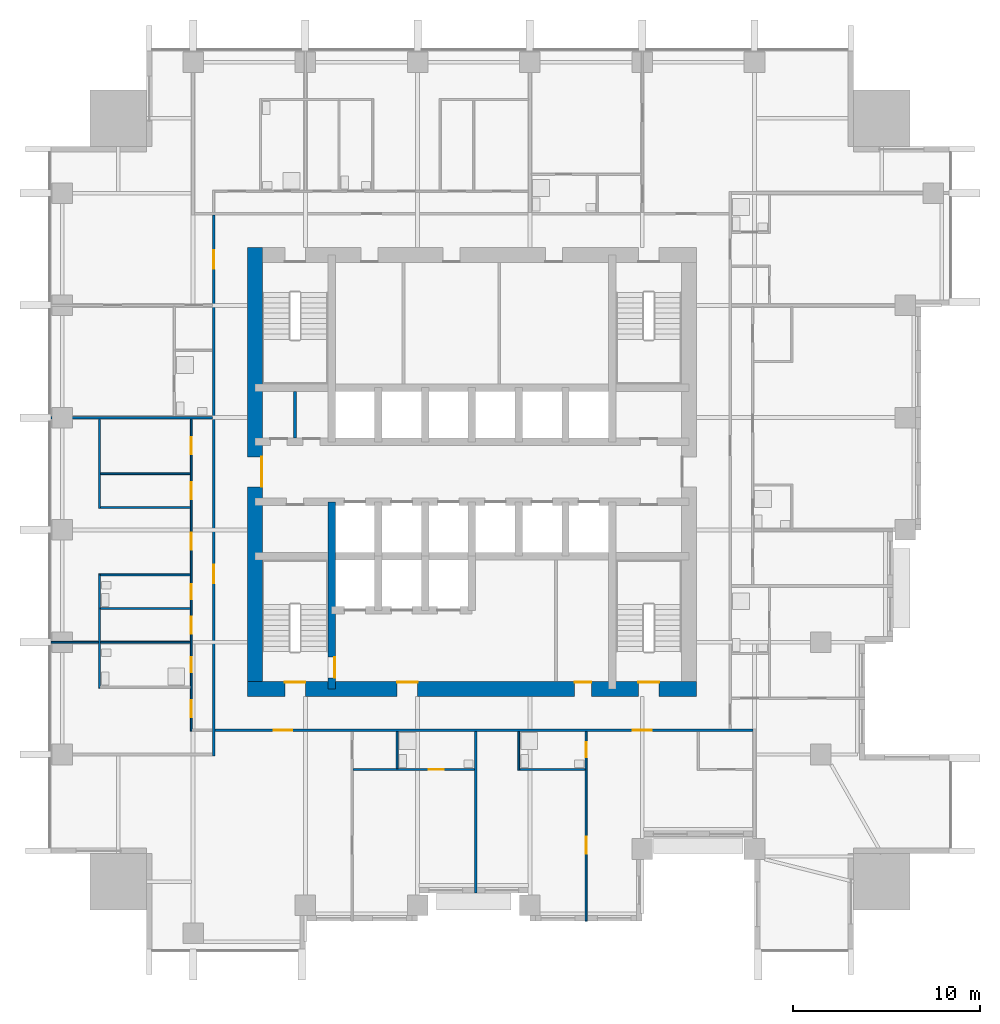
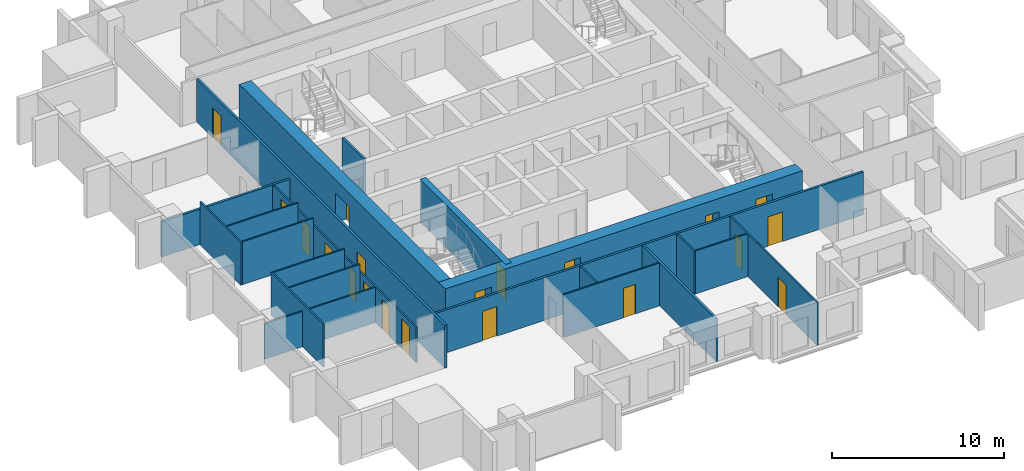
# One storey, part 4 of 10: 21 walls, 20 doors, 20 openings.
"""IFC4 building model written with IfcOpenShell, lengths in metres."""

import ifcopenshell
import ifcopenshell.guid

model = None  # the IFC model being written
_history = None  # IfcOwnerHistory: only IFC2X3 demands one
_inside = {}  # id of a spatial element -> (the spatial element, [elements in it])
_under = {}  # id of a project, library or spatial element -> (it, [spatial elements below it])
_declared = {}  # id of a project -> (the project, [libraries it declares])
_typed = {}  # id of a type object -> (the type object, [elements of that type])
_made_of = {}  # id of a material, layer set ... -> (it, [elements and type objects made of it])


def new_model(schema):
    """Start an empty IFC model of exactly this schema.

    Asked for "IFC4X3", IfcOpenShell would pick the latest addendum, in which some entities
    have other attributes; the version numbers below select the first issue.
    IFC2X3 requires an IfcOwnerHistory on every rooted entity: one is made here for all.
    """
    global model, _history
    if schema == "IFC4X3":
        model = ifcopenshell.file(schema_version=(4, 3, 0, 0))
    else:
        model = ifcopenshell.file(schema=schema)
    _inside.clear()
    _under.clear()
    _declared.clear()
    _typed.clear()
    _made_of.clear()
    _history = None
    if model.schema == "IFC2X3":
        org = make("IfcOrganization", Name="unknown")
        user = make(
            "IfcPersonAndOrganization",
            ThePerson=make("IfcPerson", FamilyName="unknown"),
            TheOrganization=org,
        )
        app = make(
            "IfcApplication",
            ApplicationDeveloper=org,
            Version="unknown",
            ApplicationFullName="unknown",
            ApplicationIdentifier="unknown",
        )
        _history = make(
            "IfcOwnerHistory",
            OwningUser=user,
            OwningApplication=app,
            ChangeAction="ADDED",
            CreationDate=0,
        )
    return model


def make(cls, **values):
    """One entity of the class cls with the attributes given. An attribute that is None is left unset."""
    return model.create_entity(
        cls, **{name: value for name, value in values.items() if value is not None}
    )


def rooted(cls, **values):
    """An entity with a GlobalId (a new one), such as an element, a storey or a relation."""
    return make(cls, GlobalId=ifcopenshell.guid.new(), OwnerHistory=_history, **values)


def si_unit(unit_type, name, prefix=None):
    """IfcSIUnit, for example si_unit("LENGTHUNIT", "METRE", prefix="MILLI")."""
    return make("IfcSIUnit", UnitType=unit_type, Prefix=prefix, Name=name)


def assignment(units):
    """IfcUnitAssignment: the units of a project."""
    return None if units is None else make("IfcUnitAssignment", Units=units)


def point(xyz):
    """IfcCartesianPoint."""
    return None if xyz is None else make("IfcCartesianPoint", Coordinates=xyz)


def direction(xyz):
    """IfcDirection."""
    return None if xyz is None else make("IfcDirection", DirectionRatios=xyz)


def frame(location, z_axis=None, x_axis=None):
    """IfcAxis2Placement3D, a coordinate frame: its origin and axes. An axis left out is left unset."""
    return make(
        "IfcAxis2Placement3D",
        Location=point(location),
        Axis=direction(z_axis),
        RefDirection=direction(x_axis),
    )


def frame_2d(location, x_axis=None):
    """IfcAxis2Placement2D, a coordinate frame in the plane: its origin and x axis."""
    return make(
        "IfcAxis2Placement2D", Location=point(location), RefDirection=direction(x_axis)
    )


def origin():
    """The frame at (0, 0, 0) with its axes left unset."""
    return frame((0.0, 0.0, 0.0))


def place(relative_to, where):
    """IfcLocalPlacement: puts the frame where relative to a parent placement (None: the world)."""
    return make(
        "IfcLocalPlacement", PlacementRelTo=relative_to, RelativePlacement=where
    )


def context(
    kind, dimensions, precision=None, world=None, true_north=None, identifier=None
):
    """IfcGeometricRepresentationContext, for example the 3D "Model" context."""
    return make(
        "IfcGeometricRepresentationContext",
        ContextIdentifier=identifier,
        ContextType=kind,
        CoordinateSpaceDimension=dimensions,
        Precision=precision,
        WorldCoordinateSystem=world,
        TrueNorth=true_north,
    )


def subcontext(parent, identifier, kind, view, scale=None):
    """IfcGeometricRepresentationSubContext, for example "Body" below "Model"."""
    return make(
        "IfcGeometricRepresentationSubContext",
        ContextIdentifier=identifier,
        ContextType=kind,
        ParentContext=parent,
        TargetScale=scale,
        TargetView=view,
    )


def project(units=None, contexts=None):
    """IfcProject with its units and contexts."""
    return rooted(
        "IfcProject",
        Name="project",
        RepresentationContexts=contexts,
        UnitsInContext=assignment(units),
    )


def spatial(cls, under=None, at=None, **own):
    """A site, building, storey or space (cls), placed at a placement, below another one or the project."""
    s = rooted(cls, ObjectPlacement=at, **own)
    if under is not None:
        _under.setdefault(under.id(), (under, []))[1].append(s)
    return s


def profile(cls, at=None, kind="AREA", **sizes):
    """A parametric profile (cls). Its sizes go by their IFC names, for example OverallWidth=200.0."""
    return make(cls, ProfileType=kind, Position=at, **sizes)


def rectangle(**sizes):
    """IfcRectangleProfileDef."""
    return profile("IfcRectangleProfileDef", **sizes)


def extrude(swept, where, along, depth):
    """IfcExtrudedAreaSolid: the profile swept, set in the frame where, extruded along a direction by depth."""
    return make(
        "IfcExtrudedAreaSolid",
        SweptArea=swept,
        Position=where,
        ExtrudedDirection=direction(along),
        Depth=depth,
    )


def shape(context_of_items, identifier, shape_type, items):
    """IfcShapeRepresentation: the items that make up one representation, for example the "Body"."""
    return make(
        "IfcShapeRepresentation",
        ContextOfItems=context_of_items,
        RepresentationIdentifier=identifier,
        RepresentationType=shape_type,
        Items=items,
    )


def material(Name=None, Category=None):
    """IfcMaterial."""
    return make("IfcMaterial", Name=Name, Category=Category)


def layer(
    of_material, thickness, ventilated=None, Name=None, Category=None, Priority=None
):
    """IfcMaterialLayer: one layer of a wall or slab, of a material (None: an air gap)."""
    return make(
        "IfcMaterialLayer",
        Material=of_material,
        LayerThickness=thickness,
        IsVentilated=ventilated,
        Name=Name,
        Category=Category,
        Priority=Priority,
    )


def layer_set(layers, Name=None):
    """IfcMaterialLayerSet."""
    return make("IfcMaterialLayerSet", MaterialLayers=layers, LayerSetName=Name)


def made_of(thing, what):
    """Note that an element or type object is made of a material, layer set ...; save() writes the relation."""
    if what is not None:
        _made_of.setdefault(what.id(), (what, []))[1].append(thing)
    return thing


def type_object(cls, material=None, **own):
    """A type object (cls), such as IfcWallType, which elements share."""
    return made_of(rooted(cls, **own), material)


def element(
    cls,
    number,
    at=None,
    inside=None,
    cuts=None,
    type_object=None,
    material=None,
    context=None,
    identifier="Body",
    shape_type=None,
    held_by="IfcProductDefinitionShape",
    body=None,
    shapes=None,
    **own,
):
    """One element of the class cls, such as IfcWall. Its Tag is "e" and its number.

    at: its placement. inside: the storey or other place that contains it. cuts: it is an
    opening in that element (IfcRelVoidsElement). A single representation is given by context,
    identifier, shape_type and body (its items); several are given by shapes. held_by: the class
    of the entity that holds the representations. save() writes the other relations.
    """
    e = rooted(cls, Tag="e%d" % number, ObjectPlacement=at, **own)
    if body is not None:
        shapes = [shape(context, identifier, shape_type, body)]
    if shapes is not None:
        e.Representation = make(held_by, Representations=shapes)
    if inside is not None:
        _inside.setdefault(inside.id(), (inside, []))[1].append(e)
    if cuts is not None:
        rooted(
            "IfcRelVoidsElement", RelatingBuildingElement=cuts, RelatedOpeningElement=e
        )
    if type_object is not None:
        _typed.setdefault(type_object.id(), (type_object, []))[1].append(e)
    return made_of(e, material)


def fill(opening, filler):
    """IfcRelFillsElement: the door or window that sits in an opening."""
    return rooted(
        "IfcRelFillsElement",
        RelatingOpeningElement=opening,
        RelatedBuildingElement=filler,
    )


def aggregate(whole, parts):
    """IfcRelAggregates: a whole, such as a stair, and the parts it consists of."""
    return rooted("IfcRelAggregates", RelatingObject=whole, RelatedObjects=parts)


def save(model, path):
    """Write the relations noted so far, then the file.

    IfcRelAggregates (storeys below a building ...), IfcRelContainedInSpatialStructure (elements
    in a storey), IfcRelDefinesByType, IfcRelAssociatesMaterial and IfcRelDeclares: one each for
    every whole, place, type object, material and project.
    """
    for whole, parts in _under.values():
        aggregate(whole, parts)
    for where, things in _inside.values():
        rooted(
            "IfcRelContainedInSpatialStructure",
            RelatedElements=things,
            RelatingStructure=where,
        )
    for kind, things in _typed.values():
        rooted("IfcRelDefinesByType", RelatedObjects=things, RelatingType=kind)
    for what, things in _made_of.values():
        rooted("IfcRelAssociatesMaterial", RelatedObjects=things, RelatingMaterial=what)
    for by, libraries in _declared.values():
        rooted("IfcRelDeclares", RelatingContext=by, RelatedDefinitions=libraries)
    model.write(path)


model = new_model("IFC4")

# Units and contexts
model_context = context("Model", 3, precision=1e-05, world=origin(), true_north=direction((0.0, 1.0)))
body_context = subcontext(model_context, "Body", "Model", "MODEL_VIEW")
ifc_project = project(units=[si_unit("LENGTHUNIT", "METRE"), si_unit("AREAUNIT", "SQUARE_METRE"), si_unit("VOLUMEUNIT", "CUBIC_METRE"), si_unit("PLANEANGLEUNIT", "RADIAN"), si_unit("MASSUNIT", "GRAM", prefix="KILO")], contexts=[model_context])

# Site, building, storey
site_placement = place(None, origin())
site = spatial("IfcSite", under=ifc_project, at=site_placement, CompositionType="ELEMENT")
building_placement = place(site_placement, origin())
building = spatial("IfcBuilding", under=site, at=building_placement, Name="Amberfall Residences", CompositionType="ELEMENT")
storey_placement = place(building_placement, frame((0.0, 0.0, 118.300048828125)))
storey = spatial("IfcBuildingStorey", under=building, at=storey_placement, Name="L32", CompositionType="ELEMENT", Elevation=118.300048828125)

# Wall, opening, door
ifc_material_1 = material(Name="Concrete C70", Category="concrete")
ifc_layer_1 = layer(ifc_material_1, 0.39990234375)
ifc_layer_set_1 = layer_set([ifc_layer_1], Name="Core wall 400 C70")
wall_type_1 = type_object("IfcWallType", Name="Core wall 400 C70", PredefinedType="SHEAR", material=ifc_layer_set_1)
wall_1_placement = place(storey_placement, frame((67.0, 33.89990234375, 0.0), z_axis=(0.0, 0.0, 1.0), x_axis=(0.0, 1.0, 0.0)))
wall_1 = element("IfcWall", 1, at=wall_1_placement, inside=storey, type_object=wall_type_1, Name="Core wall RW4 L32 V45S", PredefinedType="SHEAR", context=body_context, shape_type="SweptSolid", body=[
    extrude(rectangle(XDim=10.0, YDim=0.39990234375, at=frame_2d((5.0, 0.0))), origin(), (0.0, 0.0, 1.0), 3.050048828125),
])
opening_1_placement = place(wall_1_placement, frame((0.60009765625, 0.0, 0.0)))
opening_1 = element("IfcOpeningElement", 2, at=opening_1_placement, cuts=wall_1, Name="Opening FL1", PredefinedType="OPENING", context=body_context, shape_type="SweptSolid", body=[
    extrude(rectangle(XDim=1.10009765625, YDim=2.10009765625, at=frame_2d((0.550048828125, 1.050048828125))), frame((0.0, 0.2099609375, 0.0), z_axis=(0.0, -1.0, 0.0), x_axis=(1.0, 0.0, 0.0)), (0.0, 0.0, 1.0), 0.419921875),
])
ifc_material_2 = material(Name="Steel fire door set", Category="steel")
door_type_1 = type_object("IfcDoorType", Name="Firefighting lobby door 1100 x 2100", OperationType="SINGLE_SWING_LEFT", PredefinedType="DOOR", material=ifc_material_2)
door_1_placement = place(opening_1_placement, origin())
door_1 = element("IfcDoor", 3, at=door_1_placement, inside=storey, type_object=door_type_1, Name="FL1 L32", OperationType="SINGLE_SWING_RIGHT", OverallHeight=2.10009765625, OverallWidth=1.10009765625, PredefinedType="DOOR", context=body_context, shape_type="SweptSolid", body=[
    extrude(rectangle(XDim=1.10009765625, YDim=2.10009765625, at=frame_2d((0.550048828125, 1.050048828125))), frame((0.0, -0.1376953125, 0.0), z_axis=(0.0, -1.0, 0.0), x_axis=(1.0, 0.0, 0.0)), (0.0, 0.0, 1.0), 0.050048828125),
])
fill(opening_1, door_1)

# Wall, openings, doors
ifc_layer_2 = layer(ifc_material_1, 0.800048828125)
ifc_layer_set_2 = layer_set([ifc_layer_2], Name="Core wall 800 C70")
wall_type_2 = type_object("IfcWallType", Name="Core wall 800 C70", PredefinedType="SHEAR", material=ifc_layer_set_2)
wall_2_placement = place(storey_placement, frame((62.5, 33.89990234375, 0.0), z_axis=(0.0, 0.0, 1.0), x_axis=(1.0, 0.0, 0.0)))
wall_2 = element("IfcWall", 4, at=wall_2_placement, inside=storey, type_object=wall_type_2, Name="Core wall RW3 L32 OS", PredefinedType="SHEAR", context=body_context, shape_type="SweptSolid", body=[
    extrude(rectangle(XDim=24.0, YDim=0.800048828125, at=frame_2d((12.0, 0.0))), origin(), (0.0, 0.0, 1.0), 3.050048828125),
])
opening_2_placement = place(wall_2_placement, frame((2.0, 0.0, 0.0)))
opening_2 = element("IfcOpeningElement", 5, at=opening_2_placement, cuts=wall_2, Name="Opening SD1", PredefinedType="OPENING", context=body_context, shape_type="SweptSolid", body=[
    extrude(rectangle(XDim=1.10009765625, YDim=2.10009765625, at=frame_2d((0.550048828125, 1.050048828125))), frame((0.0, 0.409912109375, 0.0), z_axis=(0.0, -1.0, 0.0), x_axis=(1.0, 0.0, 0.0)), (0.0, 0.0, 1.0), 0.820068359375),
])
opening_3_placement = place(wall_2_placement, frame((20.89990234375, 0.0, 0.0)))
opening_3 = element("IfcOpeningElement", 6, at=opening_3_placement, cuts=wall_2, Name="Opening SD1", PredefinedType="OPENING", context=body_context, shape_type="SweptSolid", body=[
    extrude(rectangle(XDim=1.10009765625, YDim=2.10009765625, at=frame_2d((0.550048828125, 1.050048828125))), frame((0.0, 0.409912109375, 0.0), z_axis=(0.0, -1.0, 0.0), x_axis=(1.0, 0.0, 0.0)), (0.0, 0.0, 1.0), 0.820068359375),
])
opening_4_placement = place(wall_2_placement, frame((8.0, 0.0, 0.0)))
opening_4 = element("IfcOpeningElement", 7, at=opening_4_placement, cuts=wall_2, Name="Opening FL1", PredefinedType="OPENING", context=body_context, shape_type="SweptSolid", body=[
    extrude(rectangle(XDim=1.10009765625, YDim=2.10009765625, at=frame_2d((0.550048828125, 1.050048828125))), frame((0.0, 0.409912109375, 0.0), z_axis=(0.0, -1.0, 0.0), x_axis=(1.0, 0.0, 0.0)), (0.0, 0.0, 1.0), 0.820068359375),
])
opening_5_placement = place(wall_2_placement, frame((17.487548828125, 0.0, 0.0)))
opening_5 = element("IfcOpeningElement", 8, at=opening_5_placement, cuts=wall_2, Name="Opening RD1", PredefinedType="OPENING", context=body_context, shape_type="SweptSolid", body=[
    extrude(rectangle(XDim=0.89990234375, YDim=2.10009765625, at=frame_2d((0.449951171875, 1.050048828125))), frame((0.0, 0.409912109375, 0.0), z_axis=(0.0, -1.0, 0.0), x_axis=(1.0, 0.0, 0.0)), (0.0, 0.0, 1.0), 0.820068359375),
])
door_2_placement = place(opening_4_placement, origin())
door_2 = element("IfcDoor", 9, at=door_2_placement, inside=storey, type_object=door_type_1, Name="FL1 L32", OperationType="SINGLE_SWING_LEFT", OverallHeight=2.10009765625, OverallWidth=1.10009765625, PredefinedType="DOOR", context=body_context, shape_type="SweptSolid", body=[
    extrude(rectangle(XDim=1.10009765625, YDim=2.10009765625, at=frame_2d((0.550048828125, 1.050048828125))), frame((0.0, 0.3876953125, 0.0), z_axis=(0.0, -1.0, 0.0), x_axis=(1.0, 0.0, 0.0)), (0.0, 0.0, 1.0), 0.050048828125),
])
fill(opening_4, door_2)
door_type_2 = type_object("IfcDoorType", Name="Service room door 900 x 2100", OperationType="SINGLE_SWING_LEFT", PredefinedType="DOOR", material=ifc_material_2)
door_3_placement = place(opening_5_placement, origin())
door_3 = element("IfcDoor", 10, at=door_3_placement, inside=storey, type_object=door_type_2, Name="RD1 L32", OperationType="SINGLE_SWING_LEFT", OverallHeight=2.10009765625, OverallWidth=0.89990234375, PredefinedType="DOOR", context=body_context, shape_type="SweptSolid", body=[
    extrude(rectangle(XDim=0.89990234375, YDim=2.10009765625, at=frame_2d((0.449951171875, 1.050048828125))), frame((0.0, 0.3876953125, 0.0), z_axis=(0.0, -1.0, 0.0), x_axis=(1.0, 0.0, 0.0)), (0.0, 0.0, 1.0), 0.050048828125),
])
fill(opening_5, door_3)
door_type_3 = type_object("IfcDoorType", Name="Stair door 1100 x 2100", OperationType="SINGLE_SWING_LEFT", PredefinedType="DOOR", material=ifc_material_2)
door_4_placement = place(opening_2_placement, origin())
door_4 = element("IfcDoor", 11, at=door_4_placement, inside=storey, type_object=door_type_3, Name="SD1 L32", OperationType="SINGLE_SWING_LEFT", OverallHeight=2.10009765625, OverallWidth=1.10009765625, PredefinedType="DOOR", context=body_context, shape_type="SweptSolid", body=[
    extrude(rectangle(XDim=1.10009765625, YDim=2.10009765625, at=frame_2d((0.550048828125, 1.050048828125))), frame((0.0, 0.3876953125, 0.0), z_axis=(0.0, -1.0, 0.0), x_axis=(1.0, 0.0, 0.0)), (0.0, 0.0, 1.0), 0.050048828125),
])
fill(opening_2, door_4)
door_5_placement = place(opening_3_placement, origin())
door_5 = element("IfcDoor", 12, at=door_5_placement, inside=storey, type_object=door_type_3, Name="SD1 L32", OperationType="SINGLE_SWING_RIGHT", OverallHeight=2.10009765625, OverallWidth=1.10009765625, PredefinedType="DOOR", context=body_context, shape_type="SweptSolid", body=[
    extrude(rectangle(XDim=1.10009765625, YDim=2.10009765625, at=frame_2d((0.550048828125, 1.050048828125))), frame((0.0, 0.3876953125, 0.0), z_axis=(0.0, -1.0, 0.0), x_axis=(1.0, 0.0, 0.0)), (0.0, 0.0, 1.0), 0.050048828125),
])
fill(opening_3, door_5)

# Wall, opening, door
wall_3_placement = place(storey_placement, frame((62.89990234375, 33.5, 0.0), z_axis=(0.0, 0.0, 1.0), x_axis=(0.0, 1.0, 0.0)))
wall_3 = element("IfcWall", 13, at=wall_3_placement, inside=storey, type_object=wall_type_2, Name="Core wall RW3 L32 OW", PredefinedType="SHEAR", context=body_context, shape_type="SweptSolid", body=[
    extrude(rectangle(XDim=24.0, YDim=0.800048828125, at=frame_2d((12.0, 0.0))), origin(), (0.0, 0.0, 1.0), 3.050048828125),
])
opening_6_placement = place(wall_3_placement, frame((11.199951171875, 0.0, 0.0)))
opening_6 = element("IfcOpeningElement", 14, at=opening_6_placement, cuts=wall_3, Name="Opening LB1", PredefinedType="OPENING", context=body_context, shape_type="SweptSolid", body=[
    extrude(rectangle(XDim=1.60009765625, YDim=2.10009765625, at=frame_2d((0.800048828125, 1.050048828125))), frame((0.0, 0.409912109375, 0.0), z_axis=(0.0, -1.0, 0.0), x_axis=(1.0, 0.0, 0.0)), (0.0, 0.0, 1.0), 0.820068359375),
])
door_type_4 = type_object("IfcDoorType", Name="Lift lobby double door 1600 x 2100", OperationType="DOUBLE_DOOR_SINGLE_SWING", PredefinedType="DOOR", material=ifc_material_2)
door_6_placement = place(opening_6_placement, origin())
door_6 = element("IfcDoor", 15, at=door_6_placement, inside=storey, type_object=door_type_4, Name="LB1 L32", OperationType="DOUBLE_DOOR_SINGLE_SWING", OverallHeight=2.10009765625, OverallWidth=1.60009765625, PredefinedType="DOOR", context=body_context, shape_type="SweptSolid", body=[
    extrude(rectangle(XDim=1.60009765625, YDim=2.10009765625, at=frame_2d((0.800048828125, 1.050048828125))), frame((0.0, -0.33740234375, 0.0), z_axis=(0.0, -1.0, 0.0), x_axis=(1.0, 0.0, 0.0)), (0.0, 0.0, 1.0), 0.050048828125),
])
fill(opening_6, door_6)

# Walls
ifc_material_3 = material(Name="Gypsum board on metal stud")
ifc_layer_3 = layer(ifc_material_3, 0.10009765625)
ifc_layer_set_3 = layer_set([ifc_layer_3], Name="Flat partition 100")
wall_type_3 = type_object("IfcWallType", Name="Flat partition 100", PredefinedType="PARTITIONING", material=ifc_layer_set_3)
wall_4_placement = place(storey_placement, frame((54.60009765625, 33.949951171875, 0.0), z_axis=(0.0, 0.0, 1.0), x_axis=(0.0, 1.0, 0.0)))
element("IfcWall", 16, at=wall_4_placement, inside=storey, type_object=wall_type_3, Name="Partition 001", PredefinedType="PARTITIONING", context=body_context, shape_type="SweptSolid", body=[
    extrude(rectangle(XDim=6.10009765625, YDim=0.10009765625, at=frame_2d((3.050048828125, 0.0))), origin(), (0.0, 0.0, 1.0), 3.050048828125),
])
wall_5_placement = place(storey_placement, frame((54.60009765625, 43.550048828125, 0.0), z_axis=(0.0, 0.0, 1.0), x_axis=(0.0, 1.0, 0.0)))
element("IfcWall", 17, at=wall_5_placement, inside=storey, type_object=wall_type_3, Name="Partition 002", PredefinedType="PARTITIONING", context=body_context, shape_type="SweptSolid", body=[
    extrude(rectangle(XDim=4.77490234375, YDim=0.10009765625, at=frame_2d((2.387451171875, 0.0))), origin(), (0.0, 0.0, 1.0), 3.050048828125),
])

# Wall, openings, doors
wall_6_placement = place(storey_placement, frame((59.5, 31.64990234375, 0.0), z_axis=(0.0, 0.0, 1.0), x_axis=(0.0, 1.0, 0.0)))
wall_6 = element("IfcWall", 18, at=wall_6_placement, inside=storey, type_object=wall_type_3, Name="Partition 004", PredefinedType="PARTITIONING", context=body_context, shape_type="SweptSolid", body=[
    extrude(rectangle(XDim=16.675048828125, YDim=0.10009765625, at=frame_2d((8.33740234375, 0.0))), origin(), (0.0, 0.0, 1.0), 2.510009765625),
])
opening_7_placement = place(wall_6_placement, frame((9.699951171875, 0.0, 0.0)))
opening_7 = element("IfcOpeningElement", 19, at=opening_7_placement, cuts=wall_6, Name="Opening D41", PredefinedType="OPENING", context=body_context, shape_type="SweptSolid", body=[
    extrude(rectangle(XDim=0.89990234375, YDim=2.10009765625, at=frame_2d((0.449951171875, 1.050048828125))), frame((0.0, 0.06005859375, 0.0), z_axis=(0.0, -1.0, 0.0), x_axis=(1.0, 0.0, 0.0)), (0.0, 0.0, 1.0), 0.1201171875),
])
opening_8_placement = place(wall_6_placement, frame((14.800048828125, 0.0, 0.0)))
opening_8 = element("IfcOpeningElement", 20, at=opening_8_placement, cuts=wall_6, Name="Opening D41", PredefinedType="OPENING", context=body_context, shape_type="SweptSolid", body=[
    extrude(rectangle(XDim=0.89990234375, YDim=2.10009765625, at=frame_2d((0.449951171875, 1.050048828125))), frame((0.0, 0.06005859375, 0.0), z_axis=(0.0, -1.0, 0.0), x_axis=(1.0, 0.0, 0.0)), (0.0, 0.0, 1.0), 0.1201171875),
])
opening_9_placement = place(wall_6_placement, frame((12.39990234375, 0.0, 0.0)))
opening_9 = element("IfcOpeningElement", 21, at=opening_9_placement, cuts=wall_6, Name="Opening D41", PredefinedType="OPENING", context=body_context, shape_type="SweptSolid", body=[
    extrude(rectangle(XDim=0.89990234375, YDim=2.10009765625, at=frame_2d((0.449951171875, 1.050048828125))), frame((0.0, 0.06005859375, 0.0), z_axis=(0.0, -1.0, 0.0), x_axis=(1.0, 0.0, 0.0)), (0.0, 0.0, 1.0), 0.1201171875),
])
opening_10_placement = place(wall_6_placement, frame((5.199951171875, 0.0, 0.0)))
opening_10 = element("IfcOpeningElement", 22, at=opening_10_placement, cuts=wall_6, Name="Opening D41", PredefinedType="OPENING", context=body_context, shape_type="SweptSolid", body=[
    extrude(rectangle(XDim=0.89990234375, YDim=2.10009765625, at=frame_2d((0.449951171875, 1.050048828125))), frame((0.0, 0.06005859375, 0.0), z_axis=(0.0, -1.0, 0.0), x_axis=(1.0, 0.0, 0.0)), (0.0, 0.0, 1.0), 0.1201171875),
])
opening_11_placement = place(wall_6_placement, frame((7.050048828125, 0.0, 0.0)))
opening_11 = element("IfcOpeningElement", 23, at=opening_11_placement, cuts=wall_6, Name="Opening D42", PredefinedType="OPENING", context=body_context, shape_type="SweptSolid", body=[
    extrude(rectangle(XDim=0.800048828125, YDim=2.10009765625, at=frame_2d((0.39990234375, 1.050048828125))), frame((0.0, 0.06005859375, 0.0), z_axis=(0.0, -1.0, 0.0), x_axis=(1.0, 0.0, 0.0)), (0.0, 0.0, 1.0), 0.1201171875),
])
opening_12_placement = place(wall_6_placement, frame((0.75, 0.0, 0.0)))
opening_12 = element("IfcOpeningElement", 24, at=opening_12_placement, cuts=wall_6, Name="Opening D41", PredefinedType="OPENING", context=body_context, shape_type="SweptSolid", body=[
    extrude(rectangle(XDim=0.89990234375, YDim=2.10009765625, at=frame_2d((0.449951171875, 1.050048828125))), frame((0.0, 0.06005859375, 0.0), z_axis=(0.0, -1.0, 0.0), x_axis=(1.0, 0.0, 0.0)), (0.0, 0.0, 1.0), 0.1201171875),
])
opening_13_placement = place(wall_6_placement, frame((3.14990234375, 0.0, 0.0)))
opening_13 = element("IfcOpeningElement", 25, at=opening_13_placement, cuts=wall_6, Name="Opening D42", PredefinedType="OPENING", context=body_context, shape_type="SweptSolid", body=[
    extrude(rectangle(XDim=0.800048828125, YDim=2.10009765625, at=frame_2d((0.39990234375, 1.050048828125))), frame((0.0, 0.06005859375, 0.0), z_axis=(0.0, -1.0, 0.0), x_axis=(1.0, 0.0, 0.0)), (0.0, 0.0, 1.0), 0.1201171875),
])
ifc_material_4 = material(Name="Timber", Category="wood")
door_type_5 = type_object("IfcDoorType", Name="Bathroom door 800 x 2100", OperationType="SINGLE_SWING_LEFT", PredefinedType="DOOR", material=ifc_material_4)
door_7_placement = place(opening_11_placement, origin())
door_7 = element("IfcDoor", 26, at=door_7_placement, inside=storey, type_object=door_type_5, Name="Door 3208 wc1", OperationType="SINGLE_SWING_LEFT", OverallHeight=2.10009765625, OverallWidth=0.800048828125, PredefinedType="DOOR", context=body_context, shape_type="SweptSolid", body=[
    extrude(rectangle(XDim=0.800048828125, YDim=2.10009765625, at=frame_2d((0.39990234375, 1.050048828125))), frame((0.0, 0.02490234375, 0.0), z_axis=(0.0, -1.0, 0.0), x_axis=(1.0, 0.0, 0.0)), (0.0, 0.0, 1.0), 0.050048828125),
])
fill(opening_11, door_7)
door_8_placement = place(opening_13_placement, origin())
door_8 = element("IfcDoor", 27, at=door_8_placement, inside=storey, type_object=door_type_5, Name="Door 3208 bath1", OperationType="SINGLE_SWING_LEFT", OverallHeight=2.10009765625, OverallWidth=0.800048828125, PredefinedType="DOOR", context=body_context, shape_type="SweptSolid", body=[
    extrude(rectangle(XDim=0.800048828125, YDim=2.10009765625, at=frame_2d((0.39990234375, 1.050048828125))), frame((0.0, 0.02490234375, 0.0), z_axis=(0.0, -1.0, 0.0), x_axis=(1.0, 0.0, 0.0)), (0.0, 0.0, 1.0), 0.050048828125),
])
fill(opening_13, door_8)
door_type_6 = type_object("IfcDoorType", Name="Internal door 900 x 2100", OperationType="SINGLE_SWING_LEFT", PredefinedType="DOOR", material=ifc_material_4)
door_9_placement = place(opening_7_placement, origin())
door_9 = element("IfcDoor", 28, at=door_9_placement, inside=storey, type_object=door_type_6, Name="Door 3208 living", OperationType="SINGLE_SWING_LEFT", OverallHeight=2.10009765625, OverallWidth=0.89990234375, PredefinedType="DOOR", context=body_context, shape_type="SweptSolid", body=[
    extrude(rectangle(XDim=0.89990234375, YDim=2.10009765625, at=frame_2d((0.449951171875, 1.050048828125))), frame((0.0, 0.02490234375, 0.0), z_axis=(0.0, -1.0, 0.0), x_axis=(1.0, 0.0, 0.0)), (0.0, 0.0, 1.0), 0.050048828125),
])
fill(opening_7, door_9)
door_10_placement = place(opening_8_placement, origin())
door_10 = element("IfcDoor", 29, at=door_10_placement, inside=storey, type_object=door_type_6, Name="Door 3208 kitchen", OperationType="SINGLE_SWING_LEFT", OverallHeight=2.10009765625, OverallWidth=0.89990234375, PredefinedType="DOOR", context=body_context, shape_type="SweptSolid", body=[
    extrude(rectangle(XDim=0.89990234375, YDim=2.10009765625, at=frame_2d((0.449951171875, 1.050048828125))), frame((0.0, 0.02490234375, 0.0), z_axis=(0.0, -1.0, 0.0), x_axis=(1.0, 0.0, 0.0)), (0.0, 0.0, 1.0), 0.050048828125),
])
fill(opening_8, door_10)
door_11_placement = place(opening_9_placement, origin())
door_11 = element("IfcDoor", 30, at=door_11_placement, inside=storey, type_object=door_type_6, Name="Door 3208 utility", OperationType="SINGLE_SWING_LEFT", OverallHeight=2.10009765625, OverallWidth=0.89990234375, PredefinedType="DOOR", context=body_context, shape_type="SweptSolid", body=[
    extrude(rectangle(XDim=0.89990234375, YDim=2.10009765625, at=frame_2d((0.449951171875, 1.050048828125))), frame((0.0, 0.02490234375, 0.0), z_axis=(0.0, -1.0, 0.0), x_axis=(1.0, 0.0, 0.0)), (0.0, 0.0, 1.0), 0.050048828125),
])
fill(opening_9, door_11)
door_12_placement = place(opening_10_placement, origin())
door_12 = element("IfcDoor", 31, at=door_12_placement, inside=storey, type_object=door_type_6, Name="Door 3208 store", OperationType="SINGLE_SWING_LEFT", OverallHeight=2.10009765625, OverallWidth=0.89990234375, PredefinedType="DOOR", context=body_context, shape_type="SweptSolid", body=[
    extrude(rectangle(XDim=0.89990234375, YDim=2.10009765625, at=frame_2d((0.449951171875, 1.050048828125))), frame((0.0, 0.02490234375, 0.0), z_axis=(0.0, -1.0, 0.0), x_axis=(1.0, 0.0, 0.0)), (0.0, 0.0, 1.0), 0.050048828125),
])
fill(opening_10, door_12)
door_13_placement = place(opening_12_placement, origin())
door_13 = element("IfcDoor", 32, at=door_13_placement, inside=storey, type_object=door_type_6, Name="Door 3208 bedroom1", OperationType="SINGLE_SWING_LEFT", OverallHeight=2.10009765625, OverallWidth=0.89990234375, PredefinedType="DOOR", context=body_context, shape_type="SweptSolid", body=[
    extrude(rectangle(XDim=0.89990234375, YDim=2.10009765625, at=frame_2d((0.449951171875, 1.050048828125))), frame((0.0, 0.02490234375, 0.0), z_axis=(0.0, -1.0, 0.0), x_axis=(1.0, 0.0, 0.0)), (0.0, 0.0, 1.0), 0.050048828125),
])
fill(opening_12, door_13)

# Walls
wall_7_placement = place(storey_placement, frame((70.5, 29.64990234375, 0.0), z_axis=(0.0, 0.0, 1.0), x_axis=(0.0, 1.0, 0.0)))
element("IfcWall", 33, at=wall_7_placement, inside=storey, type_object=wall_type_3, Name="Partition 011", PredefinedType="PARTITIONING", context=body_context, shape_type="SweptSolid", body=[
    extrude(rectangle(XDim=1.97509765625, YDim=0.10009765625, at=frame_2d((0.987548828125, 0.0))), origin(), (0.0, 0.0, 1.0), 3.050048828125),
])
wall_8_placement = place(storey_placement, frame((77.0, 29.550048828125, 0.0), z_axis=(0.0, 0.0, 1.0), x_axis=(0.0, 1.0, 0.0)))
element("IfcWall", 34, at=wall_8_placement, inside=storey, type_object=wall_type_3, Name="Partition 014", PredefinedType="PARTITIONING", context=body_context, shape_type="SweptSolid", body=[
    extrude(rectangle(XDim=2.074951171875, YDim=0.10009765625, at=frame_2d((1.03759765625, 0.0))), origin(), (0.0, 0.0, 1.0), 3.050048828125),
])

# Wall, openings, doors
wall_9_placement = place(storey_placement, frame((80.60009765625, 21.5, 0.0), z_axis=(0.0, 0.0, 1.0), x_axis=(0.0, 1.0, 0.0)))
wall_9 = element("IfcWall", 35, at=wall_9_placement, inside=storey, type_object=wall_type_3, Name="Partition 015", PredefinedType="PARTITIONING", context=body_context, shape_type="SweptSolid", body=[
    extrude(rectangle(XDim=10.125, YDim=0.10009765625, at=frame_2d((5.0625, 0.0))), origin(), (0.0, 0.0, 1.0), 3.050048828125),
])
opening_14_placement = place(wall_9_placement, frame((3.60009765625, 0.0, 0.0)))
opening_14 = element("IfcOpeningElement", 36, at=opening_14_placement, cuts=wall_9, Name="Opening D41", PredefinedType="OPENING", context=body_context, shape_type="SweptSolid", body=[
    extrude(rectangle(XDim=0.89990234375, YDim=2.10009765625, at=frame_2d((0.449951171875, 1.050048828125))), frame((0.0, 0.06005859375, 0.0), z_axis=(0.0, -1.0, 0.0), x_axis=(1.0, 0.0, 0.0)), (0.0, 0.0, 1.0), 0.1201171875),
])
opening_15_placement = place(wall_9_placement, frame((8.75, 0.0, 0.0)))
opening_15 = element("IfcOpeningElement", 37, at=opening_15_placement, cuts=wall_9, Name="Opening D42", PredefinedType="OPENING", context=body_context, shape_type="SweptSolid", body=[
    extrude(rectangle(XDim=0.800048828125, YDim=2.10009765625, at=frame_2d((0.39990234375, 1.050048828125))), frame((0.0, 0.06005859375, 0.0), z_axis=(0.0, -1.0, 0.0), x_axis=(1.0, 0.0, 0.0)), (0.0, 0.0, 1.0), 0.1201171875),
])
door_14_placement = place(opening_15_placement, origin())
door_14 = element("IfcDoor", 38, at=door_14_placement, inside=storey, type_object=door_type_5, Name="Door 3202 bath1", OperationType="SINGLE_SWING_LEFT", OverallHeight=2.10009765625, OverallWidth=0.800048828125, PredefinedType="DOOR", context=body_context, shape_type="SweptSolid", body=[
    extrude(rectangle(XDim=0.800048828125, YDim=2.10009765625, at=frame_2d((0.39990234375, 1.050048828125))), frame((0.0, 0.02490234375, 0.0), z_axis=(0.0, -1.0, 0.0), x_axis=(1.0, 0.0, 0.0)), (0.0, 0.0, 1.0), 0.050048828125),
])
fill(opening_15, door_14)
door_15_placement = place(opening_14_placement, origin())
door_15 = element("IfcDoor", 39, at=door_15_placement, inside=storey, type_object=door_type_6, Name="Door 3202 bedroom1", OperationType="SINGLE_SWING_LEFT", OverallHeight=2.10009765625, OverallWidth=0.89990234375, PredefinedType="DOOR", context=body_context, shape_type="SweptSolid", body=[
    extrude(rectangle(XDim=0.89990234375, YDim=2.10009765625, at=frame_2d((0.449951171875, 1.050048828125))), frame((0.0, 0.02490234375, 0.0), z_axis=(0.0, -1.0, 0.0), x_axis=(1.0, 0.0, 0.0)), (0.0, 0.0, 1.0), 0.050048828125),
])
fill(opening_14, door_15)

# Walls
for number, where, z_axis, x_axis, name in (
    (40, (54.64990234375, 45.39990234375, 0.0), (0.0, 0.0, 1.0), (1.0, 0.0, 0.0), "Partition 034"),
    (41, (54.64990234375, 43.60009765625, 0.0), (0.0, 0.0, 1.0), (1.0, 0.0, 0.0), "Partition 036"),
    (42, (54.64990234375, 40.0, 0.0), (0.0, 0.0, 1.0), (1.0, 0.0, 0.0), "Partition 038"),
    (43, (54.64990234375, 38.199951171875, 0.0), (0.0, 0.0, 1.0), (1.0, 0.0, 0.0), "Partition 039"),
):
    element("IfcWall", number, at=place(storey_placement, frame(where, z_axis=z_axis, x_axis=x_axis)), inside=storey, type_object=wall_type_3, Name=name, PredefinedType="PARTITIONING", context=body_context, shape_type="SweptSolid", body=[
        extrude(rectangle(XDim=4.800048828125, YDim=0.10009765625, at=frame_2d((2.39990234375, 0.0))), origin(), (0.0, 0.0, 1.0), 3.050048828125),
    ])
wall_10_placement = place(storey_placement, frame((52.0, 36.39990234375, 0.0), z_axis=(0.0, 0.0, 1.0), x_axis=(1.0, 0.0, 0.0)))
element("IfcWall", 44, at=wall_10_placement, inside=storey, type_object=wall_type_3, Name="Partition 040", PredefinedType="PARTITIONING", context=body_context, shape_type="SweptSolid", body=[
    extrude(rectangle(XDim=7.449951171875, YDim=0.10009765625, at=frame_2d((3.72509765625, 0.0))), origin(), (0.0, 0.0, 1.0), 2.515869140625),
])

# Wall, opening, door
wall_11_placement = place(storey_placement, frame((68.14990234375, 29.60009765625, 0.0), z_axis=(0.0, 0.0, 1.0), x_axis=(1.0, 0.0, 0.0)))
wall_11 = element("IfcWall", 45, at=wall_11_placement, inside=storey, type_object=wall_type_3, Name="Partition 045", PredefinedType="PARTITIONING", context=body_context, shape_type="SweptSolid", body=[
    extrude(rectangle(XDim=6.47509765625, YDim=0.10009765625, at=frame_2d((3.237548828125, 0.0))), origin(), (0.0, 0.0, 1.0), 3.050048828125),
])
opening_16_placement = place(wall_11_placement, frame((4.050048828125, 0.0, 0.0)))
opening_16 = element("IfcOpeningElement", 46, at=opening_16_placement, cuts=wall_11, Name="Opening D42", PredefinedType="OPENING", context=body_context, shape_type="SweptSolid", body=[
    extrude(rectangle(XDim=0.800048828125, YDim=2.10009765625, at=frame_2d((0.39990234375, 1.050048828125))), frame((0.0, 0.06005859375, 0.0), z_axis=(0.0, -1.0, 0.0), x_axis=(1.0, 0.0, 0.0)), (0.0, 0.0, 1.0), 0.1201171875),
])
door_16_placement = place(opening_16_placement, origin())
door_16 = element("IfcDoor", 47, at=door_16_placement, inside=storey, type_object=door_type_5, Name="Door 3201 bath1", OperationType="SINGLE_SWING_LEFT", OverallHeight=2.10009765625, OverallWidth=0.800048828125, PredefinedType="DOOR", context=body_context, shape_type="SweptSolid", body=[
    extrude(rectangle(XDim=0.800048828125, YDim=2.10009765625, at=frame_2d((0.39990234375, 1.050048828125))), frame((0.0, 0.02490234375, 0.0), z_axis=(0.0, -1.0, 0.0), x_axis=(1.0, 0.0, 0.0)), (0.0, 0.0, 1.0), 0.050048828125),
])
fill(opening_16, door_16)

# Wall
wall_12_placement = place(storey_placement, frame((77.050048828125, 29.60009765625, 0.0), z_axis=(0.0, 0.0, 1.0), x_axis=(1.0, 0.0, 0.0)))
element("IfcWall", 48, at=wall_12_placement, inside=storey, type_object=wall_type_3, Name="Partition 046", PredefinedType="PARTITIONING", context=body_context, shape_type="SweptSolid", body=[
    extrude(rectangle(XDim=3.5, YDim=0.10009765625, at=frame_2d((1.75, 0.0))), origin(), (0.0, 0.0, 1.0), 3.050048828125),
])

# Wall, openings, doors
ifc_material_5 = material(Name="Blockwork, plastered", Category="masonry")
ifc_layer_4 = layer(ifc_material_5, 0.14990234375)
ifc_layer_set_4 = layer_set([ifc_layer_4], Name="Flat separating wall 150")
wall_type_4 = type_object("IfcWallType", Name="Flat separating wall 150", PredefinedType="PARTITIONING", material=ifc_layer_set_4)
wall_13_placement = place(storey_placement, frame((60.699951171875, 30.324951171875, 0.0), z_axis=(0.0, 0.0, 1.0), x_axis=(0.0, 1.0, 0.0)))
wall_13 = element("IfcWall", 49, at=wall_13_placement, inside=storey, type_object=wall_type_4, Name="Separating wall 049", PredefinedType="PARTITIONING", context=body_context, shape_type="SweptSolid", body=[
    extrude(rectangle(XDim=28.900146484375, YDim=0.14990234375, at=frame_2d((14.4501953125, 0.0))), origin(), (0.0, 0.0, 1.0), 3.050048828125),
])
opening_17_placement = place(wall_13_placement, frame((9.22509765625, 0.0, 0.0)))
opening_17 = element("IfcOpeningElement", 50, at=opening_17_placement, cuts=wall_13, Name="Opening D40", PredefinedType="OPENING", context=body_context, shape_type="SweptSolid", body=[
    extrude(rectangle(XDim=1.0, YDim=2.10009765625, at=frame_2d((0.5, 1.050048828125))), frame((0.0, 0.0849609375, 0.0), z_axis=(0.0, -1.0, 0.0), x_axis=(1.0, 0.0, 0.0)), (0.0, 0.0, 1.0), 0.169921875),
])
opening_18_placement = place(wall_13_placement, frame((26.02490234375, 0.0, 0.0)))
opening_18 = element("IfcOpeningElement", 51, at=opening_18_placement, cuts=wall_13, Name="Opening D40", PredefinedType="OPENING", context=body_context, shape_type="SweptSolid", body=[
    extrude(rectangle(XDim=1.0, YDim=2.10009765625, at=frame_2d((0.5, 1.050048828125))), frame((0.0, 0.0849609375, 0.0), z_axis=(0.0, -1.0, 0.0), x_axis=(1.0, 0.0, 0.0)), (0.0, 0.0, 1.0), 0.169921875),
])
ifc_material_6 = material(Name="Timber, fire-rated", Category="wood")
door_type_7 = type_object("IfcDoorType", Name="Flat entrance door FD60 1000 x 2100", OperationType="SINGLE_SWING_LEFT", PredefinedType="DOOR", material=ifc_material_6)
door_17_placement = place(opening_17_placement, origin())
door_17 = element("IfcDoor", 52, at=door_17_placement, inside=storey, type_object=door_type_7, Name="Door 3208 entrance", OperationType="SINGLE_SWING_LEFT", OverallHeight=2.10009765625, OverallWidth=1.0, PredefinedType="DOOR", context=body_context, shape_type="SweptSolid", body=[
    extrude(rectangle(XDim=1.0, YDim=2.10009765625, at=frame_2d((0.5, 1.050048828125))), frame((0.0, 0.02490234375, 0.0), z_axis=(0.0, -1.0, 0.0), x_axis=(1.0, 0.0, 0.0)), (0.0, 0.0, 1.0), 0.050048828125),
])
fill(opening_17, door_17)
door_18_placement = place(opening_18_placement, origin())
door_18 = element("IfcDoor", 53, at=door_18_placement, inside=storey, type_object=door_type_7, Name="Door 3209 entrance", OperationType="SINGLE_SWING_LEFT", OverallHeight=2.10009765625, OverallWidth=1.0, PredefinedType="DOOR", context=body_context, shape_type="SweptSolid", body=[
    extrude(rectangle(XDim=1.0, YDim=2.10009765625, at=frame_2d((0.5, 1.050048828125))), frame((0.0, 0.02490234375, 0.0), z_axis=(0.0, -1.0, 0.0), x_axis=(1.0, 0.0, 0.0)), (0.0, 0.0, 1.0), 0.050048828125),
])
fill(opening_18, door_18)

# Walls
wall_14_placement = place(storey_placement, frame((74.699951171875, 23.0, 0.0), z_axis=(0.0, 0.0, 1.0), x_axis=(0.0, 1.0, 0.0)))
element("IfcWall", 54, at=wall_14_placement, inside=storey, type_object=wall_type_4, Name="Separating wall 050", PredefinedType="PARTITIONING", context=body_context, shape_type="SweptSolid", body=[
    extrude(rectangle(XDim=8.625, YDim=0.14990234375, at=frame_2d((4.3125, 0.0))), origin(), (0.0, 0.0, 1.0), 3.050048828125),
])
wall_15_placement = place(storey_placement, frame((52.0, 48.39990234375, 0.0), z_axis=(0.0, 0.0, 1.0), x_axis=(1.0, 0.0, 0.0)))
element("IfcWall", 55, at=wall_15_placement, inside=storey, type_object=wall_type_4, Name="Separating wall 057", PredefinedType="PARTITIONING", context=body_context, shape_type="SweptSolid", body=[
    extrude(rectangle(XDim=8.625, YDim=0.14990234375, at=frame_2d((4.3125, 0.0))), origin(), (0.0, 0.0, 1.0), 2.515869140625),
])

# Wall, openings, doors
wall_16_placement = place(storey_placement, frame((89.52490234375, 31.699951171875, 0.0), z_axis=(0.0, 0.0, 1.0), x_axis=(-1.0, 0.0, 0.0)))
wall_16 = element("IfcWall", 56, at=wall_16_placement, inside=storey, type_object=wall_type_4, Name="Separating wall 059", PredefinedType="PARTITIONING", context=body_context, shape_type="SweptSolid", body=[
    extrude(rectangle(XDim=28.75, YDim=0.14990234375, at=frame_2d((14.375, 0.0))), origin(), (0.0, 0.0, 1.0), 3.050048828125),
])
opening_19_placement = place(wall_16_placement, frame((24.625, 0.0, 0.0)))
opening_19 = element("IfcOpeningElement", 57, at=opening_19_placement, cuts=wall_16, Name="Opening D40", PredefinedType="OPENING", context=body_context, shape_type="SweptSolid", body=[
    extrude(rectangle(XDim=1.0, YDim=2.10009765625, at=frame_2d((0.5, 1.050048828125))), frame((0.0, 0.0849609375, 0.0), z_axis=(0.0, -1.0, 0.0), x_axis=(1.0, 0.0, 0.0)), (0.0, 0.0, 1.0), 0.169921875),
])
opening_20_placement = place(wall_16_placement, frame((5.425048828125, 0.0, 0.0)))
opening_20 = element("IfcOpeningElement", 58, at=opening_20_placement, cuts=wall_16, Name="Opening D40", PredefinedType="OPENING", context=body_context, shape_type="SweptSolid", body=[
    extrude(rectangle(XDim=1.0, YDim=2.10009765625, at=frame_2d((0.5, 1.050048828125))), frame((0.0, 0.0849609375, 0.0), z_axis=(0.0, -1.0, 0.0), x_axis=(1.0, 0.0, 0.0)), (0.0, 0.0, 1.0), 0.169921875),
])
door_19_placement = place(opening_19_placement, origin())
door_19 = element("IfcDoor", 59, at=door_19_placement, inside=storey, type_object=door_type_7, Name="Door 3201 entrance", OperationType="SINGLE_SWING_LEFT", OverallHeight=2.10009765625, OverallWidth=1.0, PredefinedType="DOOR", context=body_context, shape_type="SweptSolid", body=[
    extrude(rectangle(XDim=1.0, YDim=2.10009765625, at=frame_2d((0.5, 1.050048828125))), frame((0.0, 0.02490234375, 0.0), z_axis=(0.0, -1.0, 0.0), x_axis=(1.0, 0.0, 0.0)), (0.0, 0.0, 1.0), 0.050048828125),
])
fill(opening_19, door_19)
door_20_placement = place(opening_20_placement, origin())
door_20 = element("IfcDoor", 60, at=door_20_placement, inside=storey, type_object=door_type_7, Name="Door 3202 entrance", OperationType="SINGLE_SWING_LEFT", OverallHeight=2.10009765625, OverallWidth=1.0, PredefinedType="DOOR", context=body_context, shape_type="SweptSolid", body=[
    extrude(rectangle(XDim=1.0, YDim=2.10009765625, at=frame_2d((0.5, 1.050048828125))), frame((0.0, 0.02490234375, 0.0), z_axis=(0.0, -1.0, 0.0), x_axis=(1.0, 0.0, 0.0)), (0.0, 0.0, 1.0), 0.050048828125),
])
fill(opening_20, door_20)

# Wall
ifc_material_7 = material(Name="Concrete blockwork", Category="masonry")
ifc_layer_5 = layer(ifc_material_7, 0.14990234375)
ifc_layer_set_5 = layer_set([ifc_layer_5], Name="Riser wall 150")
wall_type_5 = type_object("IfcWallType", Name="Riser wall 150", PredefinedType="PLUMBINGWALL", material=ifc_layer_set_5)
wall_17_placement = place(storey_placement, frame((65.050048828125, 47.300048828125, 0.0), z_axis=(0.0, 0.0, 1.0), x_axis=(0.0, 1.0, 0.0)))
element("IfcWall", 61, at=wall_17_placement, inside=storey, type_object=wall_type_5, Name="L32 core wall ANW0", PredefinedType="PLUMBINGWALL", context=body_context, shape_type="SweptSolid", body=[
    extrude(rectangle(XDim=2.5, YDim=0.14990234375, at=frame_2d((1.25, 0.0))), origin(), (0.0, 0.0, 1.0), 3.050048828125),
])

save(model, "model.ifc")
